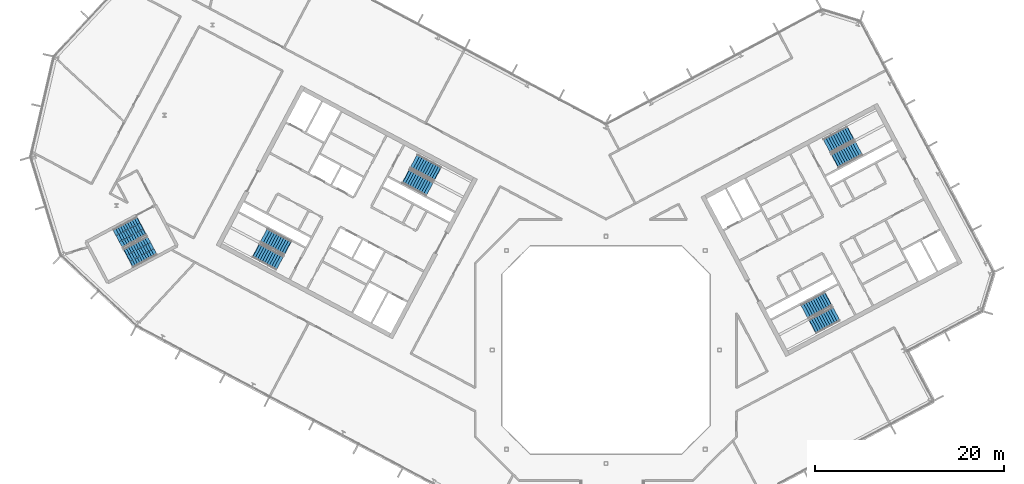
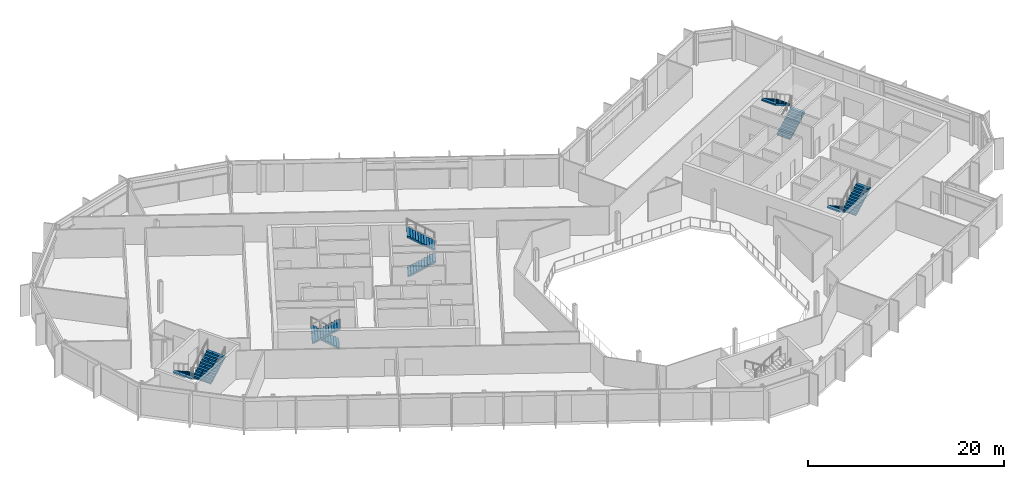
# One storey, part 17 of 25: 10 stair flights, 5 elements without a shape of their own.
"""IFC4 building model written with IfcOpenShell, lengths in metres."""

from ifc_helpers import new_model, si_unit, direction, frame, origin, place, context, subcontext, project, spatial, polyline, outline, extrude, material, type_object, element, aggregate, save


model = new_model("IFC4")

# Units and contexts
model_context = context("Model", 3, precision=1e-05, world=origin(), true_north=direction((0.0, 1.0)))
body_context = subcontext(model_context, "Body", "Model", "MODEL_VIEW")
ifc_project = project(units=[si_unit("LENGTHUNIT", "METRE"), si_unit("AREAUNIT", "SQUARE_METRE"), si_unit("VOLUMEUNIT", "CUBIC_METRE"), si_unit("PLANEANGLEUNIT", "RADIAN"), si_unit("MASSUNIT", "GRAM", prefix="KILO")], contexts=[model_context])

# Site, building, storey
site_placement = place(None, origin())
site = spatial("IfcSite", under=ifc_project, at=site_placement, CompositionType="ELEMENT")
building_placement = place(site_placement, origin())
building = spatial("IfcBuilding", under=site, at=building_placement, Name="Cormorant Relay Tower", CompositionType="ELEMENT")
storey_placement = place(building_placement, frame((0.0, 0.0, 281.39990234375)))
storey = spatial("IfcBuildingStorey", under=building, at=storey_placement, Name="L63", CompositionType="ELEMENT", Elevation=281.39990234375)

# Stair, stair flights
ifc_material_1 = material(Name="Concrete 40 MPa", Category="concrete")
stair_type_1 = type_object("IfcStairType", Name="Exit stair 1500", PredefinedType="HALF_TURN_STAIR", material=ifc_material_1)
stair_1_placement = place(storey_placement, origin())
stair_1 = element("IfcStair", 1, at=stair_1_placement, inside=storey, type_object=stair_type_1, Name="L63 Stair", PredefinedType="HALF_TURN_STAIR")
ifc_material_2 = material(Name="Concrete 40 MPa", Category="concrete")
stair_flight_type_1 = type_object("IfcStairFlightType", Name="Exit stair flight 1650", PredefinedType="STRAIGHT", material=ifc_material_2)
stair_flight_1_placement = place(storey_placement, frame((-21.114501953125, 18.33349609375, 0.0), z_axis=(0.0, 0.0, 1.0), x_axis=(0.882947592859, -0.469471562786, 0.0)))
stair_flight_1 = element("IfcStairFlight", 2, at=stair_flight_1_placement, type_object=stair_flight_type_1, Name="A1 flight 1", NumberOfRisers=11, NumberOfTreads=10, PredefinedType="STRAIGHT", RiserHeight=0.177272727, TreadLength=0.28, context=body_context, shape_type="SweptSolid", body=[
    extrude(outline(polyline([(-0.050048828125, -0.080078125), (-0.050048828125, 0.0), (0.0, 0.0), (0.0, 0.17724609375), (0.280029296875, 0.17724609375), (0.280029296875, 0.3544921875), (0.56005859375, 0.3544921875), (0.56005859375, 0.53173828125), (0.840087890625, 0.53173828125), (0.840087890625, 0.708984375), (1.1201171875, 0.708984375), (1.1201171875, 0.886474609375), (1.39990234375, 0.886474609375), (1.39990234375, 1.063720703125), (1.679931640625, 1.063720703125), (1.679931640625, 1.240966796875), (1.9599609375, 1.240966796875), (1.9599609375, 1.418212890625), (2.239990234375, 1.418212890625), (2.239990234375, 1.595458984375), (2.52001953125, 1.595458984375), (2.52001953125, 1.772705078125), (2.800048828125, 1.772705078125), (2.85009765625, 1.772705078125), (2.85009765625, 1.59521484375), (2.800048828125, 1.59521484375), (0.2802734375, 0.0), (-0.050048828125, -0.080078125)])), frame((0.0, 0.824951171875, 0.0), z_axis=(0.0, -1.0, 0.0), x_axis=(1.0, 0.0, 0.0)), (0.0, 0.0, 1.0), 1.64990234375),
])
stair_flight_2_placement = place(storey_placement, frame((-17.797119140625, 18.6083984375, 1.9501953125), z_axis=(0.0, 0.0, 1.0), x_axis=(-0.882947592859, 0.469471562786, 0.0)))
stair_flight_2 = element("IfcStairFlight", 3, at=stair_flight_2_placement, type_object=stair_flight_type_1, Name="A1 flight 2", NumberOfRisers=11, NumberOfTreads=10, PredefinedType="STRAIGHT", RiserHeight=0.177272727, TreadLength=0.28, context=body_context, shape_type="SweptSolid", body=[
    extrude(outline(polyline([(-0.050048828125, -0.080078125), (-0.050048828125, 0.0), (0.0, 0.0), (0.0, 0.17724609375), (0.280029296875, 0.17724609375), (0.280029296875, 0.3544921875), (0.56005859375, 0.3544921875), (0.56005859375, 0.53173828125), (0.840087890625, 0.53173828125), (0.840087890625, 0.708984375), (1.1201171875, 0.708984375), (1.1201171875, 0.886474609375), (1.39990234375, 0.886474609375), (1.39990234375, 1.063720703125), (1.679931640625, 1.063720703125), (1.679931640625, 1.240966796875), (1.9599609375, 1.240966796875), (1.9599609375, 1.418212890625), (2.239990234375, 1.418212890625), (2.239990234375, 1.595458984375), (2.52001953125, 1.595458984375), (2.52001953125, 1.772705078125), (2.800048828125, 1.772705078125), (2.85009765625, 1.772705078125), (2.85009765625, 1.59521484375), (2.800048828125, 1.59521484375), (0.2802734375, 0.0), (-0.050048828125, -0.080078125)])), frame((0.0, 0.824951171875, 0.0), z_axis=(0.0, -1.0, 0.0), x_axis=(1.0, 0.0, 0.0)), (0.0, 0.0, 1.0), 1.64990234375),
])
aggregate(stair_1, [stair_flight_1, stair_flight_2])

stair_2_placement = place(storey_placement, origin())
stair_2 = element("IfcStair", 4, at=stair_2_placement, inside=storey, type_object=stair_type_1, Name="L63 Stair", PredefinedType="HALF_TURN_STAIR")
stair_flight_3_placement = place(storey_placement, frame((-33.62841796875, 10.773681640625, 0.0), z_axis=(0.0, 0.0, 1.0), x_axis=(-0.882947592859, 0.469471562786, 0.0)))
stair_flight_3 = element("IfcStairFlight", 5, at=stair_flight_3_placement, type_object=stair_flight_type_1, Name="A2 flight 1", NumberOfRisers=11, NumberOfTreads=10, PredefinedType="STRAIGHT", RiserHeight=0.177272727, TreadLength=0.28, context=body_context, shape_type="SweptSolid", body=[
    extrude(outline(polyline([(-0.050048828125, -0.080078125), (-0.050048828125, 0.0), (0.0, 0.0), (0.0, 0.17724609375), (0.280029296875, 0.17724609375), (0.280029296875, 0.3544921875), (0.56005859375, 0.3544921875), (0.56005859375, 0.53173828125), (0.840087890625, 0.53173828125), (0.840087890625, 0.708984375), (1.1201171875, 0.708984375), (1.1201171875, 0.886474609375), (1.39990234375, 0.886474609375), (1.39990234375, 1.063720703125), (1.679931640625, 1.063720703125), (1.679931640625, 1.240966796875), (1.9599609375, 1.240966796875), (1.9599609375, 1.418212890625), (2.239990234375, 1.418212890625), (2.239990234375, 1.595458984375), (2.52001953125, 1.595458984375), (2.52001953125, 1.772705078125), (2.800048828125, 1.772705078125), (2.85009765625, 1.772705078125), (2.85009765625, 1.59521484375), (2.800048828125, 1.59521484375), (0.2802734375, 0.0), (-0.050048828125, -0.080078125)])), frame((0.0, 0.824951171875, 0.0), z_axis=(0.0, -1.0, 0.0), x_axis=(1.0, 0.0, 0.0)), (0.0, 0.0, 1.0), 1.64990234375),
])
stair_flight_4_placement = place(storey_placement, frame((-36.945556640625, 10.498779296875, 1.9501953125), z_axis=(0.0, 0.0, 1.0), x_axis=(0.882947592859, -0.469471562786, 0.0)))
stair_flight_4 = element("IfcStairFlight", 6, at=stair_flight_4_placement, type_object=stair_flight_type_1, Name="A2 flight 2", NumberOfRisers=11, NumberOfTreads=10, PredefinedType="STRAIGHT", RiserHeight=0.177272727, TreadLength=0.28, context=body_context, shape_type="SweptSolid", body=[
    extrude(outline(polyline([(-0.050048828125, -0.080078125), (-0.050048828125, 0.0), (0.0, 0.0), (0.0, 0.17724609375), (0.280029296875, 0.17724609375), (0.280029296875, 0.3544921875), (0.56005859375, 0.3544921875), (0.56005859375, 0.53173828125), (0.840087890625, 0.53173828125), (0.840087890625, 0.708984375), (1.1201171875, 0.708984375), (1.1201171875, 0.886474609375), (1.39990234375, 0.886474609375), (1.39990234375, 1.063720703125), (1.679931640625, 1.063720703125), (1.679931640625, 1.240966796875), (1.9599609375, 1.240966796875), (1.9599609375, 1.418212890625), (2.239990234375, 1.418212890625), (2.239990234375, 1.595458984375), (2.52001953125, 1.595458984375), (2.52001953125, 1.772705078125), (2.800048828125, 1.772705078125), (2.85009765625, 1.772705078125), (2.85009765625, 1.59521484375), (2.800048828125, 1.59521484375), (0.2802734375, 0.0), (-0.050048828125, -0.080078125)])), frame((0.0, 0.824951171875, 0.0), z_axis=(0.0, -1.0, 0.0), x_axis=(1.0, 0.0, 0.0)), (0.0, 0.0, 1.0), 1.64990234375),
])
aggregate(stair_2, [stair_flight_3, stair_flight_4])

stair_3_placement = place(storey_placement, origin())
stair_3 = element("IfcStair", 7, at=stair_3_placement, inside=storey, type_object=stair_type_1, Name="L63 Stair", PredefinedType="HALF_TURN_STAIR")
stair_flight_5_placement = place(storey_placement, frame((23.474365234375, 5.374755859375, 0.0), z_axis=(0.0, 0.0, 1.0), x_axis=(-0.882947592859, -0.469471562786, 0.0)))
stair_flight_5 = element("IfcStairFlight", 8, at=stair_flight_5_placement, type_object=stair_flight_type_1, Name="B1 flight 1", NumberOfRisers=11, NumberOfTreads=10, PredefinedType="STRAIGHT", RiserHeight=0.177272727, TreadLength=0.28, context=body_context, shape_type="SweptSolid", body=[
    extrude(outline(polyline([(-0.050048828125, -0.080078125), (-0.050048828125, 0.0), (0.0, 0.0), (0.0, 0.17724609375), (0.280029296875, 0.17724609375), (0.280029296875, 0.3544921875), (0.56005859375, 0.3544921875), (0.56005859375, 0.53173828125), (0.840087890625, 0.53173828125), (0.840087890625, 0.708984375), (1.1201171875, 0.708984375), (1.1201171875, 0.886474609375), (1.39990234375, 0.886474609375), (1.39990234375, 1.063720703125), (1.679931640625, 1.063720703125), (1.679931640625, 1.240966796875), (1.9599609375, 1.240966796875), (1.9599609375, 1.418212890625), (2.239990234375, 1.418212890625), (2.239990234375, 1.595458984375), (2.52001953125, 1.595458984375), (2.52001953125, 1.772705078125), (2.800048828125, 1.772705078125), (2.85009765625, 1.772705078125), (2.85009765625, 1.59521484375), (2.800048828125, 1.59521484375), (0.2802734375, 0.0), (-0.050048828125, -0.080078125)])), frame((0.0, 0.824951171875, 0.0), z_axis=(0.0, -1.0, 0.0), x_axis=(1.0, 0.0, 0.0)), (0.0, 0.0, 1.0), 1.64990234375),
])
stair_flight_6_placement = place(storey_placement, frame((21.84716796875, 2.470947265625, 1.9501953125), z_axis=(0.0, 0.0, 1.0), x_axis=(0.882947592859, 0.469471562786, 0.0)))
stair_flight_6 = element("IfcStairFlight", 9, at=stair_flight_6_placement, type_object=stair_flight_type_1, Name="B1 flight 2", NumberOfRisers=11, NumberOfTreads=10, PredefinedType="STRAIGHT", RiserHeight=0.177272727, TreadLength=0.28, context=body_context, shape_type="SweptSolid", body=[
    extrude(outline(polyline([(-0.050048828125, -0.080078125), (-0.050048828125, 0.0), (0.0, 0.0), (0.0, 0.17724609375), (0.280029296875, 0.17724609375), (0.280029296875, 0.3544921875), (0.56005859375, 0.3544921875), (0.56005859375, 0.53173828125), (0.840087890625, 0.53173828125), (0.840087890625, 0.708984375), (1.1201171875, 0.708984375), (1.1201171875, 0.886474609375), (1.39990234375, 0.886474609375), (1.39990234375, 1.063720703125), (1.679931640625, 1.063720703125), (1.679931640625, 1.240966796875), (1.9599609375, 1.240966796875), (1.9599609375, 1.418212890625), (2.239990234375, 1.418212890625), (2.239990234375, 1.595458984375), (2.52001953125, 1.595458984375), (2.52001953125, 1.772705078125), (2.800048828125, 1.772705078125), (2.85009765625, 1.772705078125), (2.85009765625, 1.59521484375), (2.800048828125, 1.59521484375), (0.2802734375, 0.0), (-0.050048828125, -0.080078125)])), frame((0.0, 0.824951171875, 0.0), z_axis=(0.0, -1.0, 0.0), x_axis=(1.0, 0.0, 0.0)), (0.0, 0.0, 1.0), 1.64990234375),
])
aggregate(stair_3, [stair_flight_5, stair_flight_6])

stair_4_placement = place(storey_placement, origin())
stair_4 = element("IfcStair", 10, at=stair_4_placement, inside=storey, type_object=stair_type_1, Name="L63 Stair", PredefinedType="HALF_TURN_STAIR")
stair_flight_7_placement = place(storey_placement, frame((24.20458984375, 19.976806640625, 0.0), z_axis=(0.0, 0.0, 1.0), x_axis=(0.882947592859, 0.469471562786, 0.0)))
stair_flight_7 = element("IfcStairFlight", 11, at=stair_flight_7_placement, type_object=stair_flight_type_1, Name="B2 flight 1", NumberOfRisers=11, NumberOfTreads=10, PredefinedType="STRAIGHT", RiserHeight=0.177272727, TreadLength=0.28, context=body_context, shape_type="SweptSolid", body=[
    extrude(outline(polyline([(-0.050048828125, -0.080078125), (-0.050048828125, 0.0), (0.0, 0.0), (0.0, 0.17724609375), (0.280029296875, 0.17724609375), (0.280029296875, 0.3544921875), (0.56005859375, 0.3544921875), (0.56005859375, 0.53173828125), (0.840087890625, 0.53173828125), (0.840087890625, 0.708984375), (1.1201171875, 0.708984375), (1.1201171875, 0.886474609375), (1.39990234375, 0.886474609375), (1.39990234375, 1.063720703125), (1.679931640625, 1.063720703125), (1.679931640625, 1.240966796875), (1.9599609375, 1.240966796875), (1.9599609375, 1.418212890625), (2.239990234375, 1.418212890625), (2.239990234375, 1.595458984375), (2.52001953125, 1.595458984375), (2.52001953125, 1.772705078125), (2.800048828125, 1.772705078125), (2.85009765625, 1.772705078125), (2.85009765625, 1.59521484375), (2.800048828125, 1.59521484375), (0.2802734375, 0.0), (-0.050048828125, -0.080078125)])), frame((0.0, 0.824951171875, 0.0), z_axis=(0.0, -1.0, 0.0), x_axis=(1.0, 0.0, 0.0)), (0.0, 0.0, 1.0), 1.64990234375),
])
stair_flight_8_placement = place(storey_placement, frame((25.831787109375, 22.880615234375, 1.9501953125), z_axis=(0.0, 0.0, 1.0), x_axis=(-0.882947592859, -0.469471562786, 0.0)))
stair_flight_8 = element("IfcStairFlight", 12, at=stair_flight_8_placement, type_object=stair_flight_type_1, Name="B2 flight 2", NumberOfRisers=11, NumberOfTreads=10, PredefinedType="STRAIGHT", RiserHeight=0.177272727, TreadLength=0.28, context=body_context, shape_type="SweptSolid", body=[
    extrude(outline(polyline([(-0.050048828125, -0.080078125), (-0.050048828125, 0.0), (0.0, 0.0), (0.0, 0.17724609375), (0.280029296875, 0.17724609375), (0.280029296875, 0.3544921875), (0.56005859375, 0.3544921875), (0.56005859375, 0.53173828125), (0.840087890625, 0.53173828125), (0.840087890625, 0.708984375), (1.1201171875, 0.708984375), (1.1201171875, 0.886474609375), (1.39990234375, 0.886474609375), (1.39990234375, 1.063720703125), (1.679931640625, 1.063720703125), (1.679931640625, 1.240966796875), (1.9599609375, 1.240966796875), (1.9599609375, 1.418212890625), (2.239990234375, 1.418212890625), (2.239990234375, 1.595458984375), (2.52001953125, 1.595458984375), (2.52001953125, 1.772705078125), (2.800048828125, 1.772705078125), (2.85009765625, 1.772705078125), (2.85009765625, 1.59521484375), (2.800048828125, 1.59521484375), (0.2802734375, 0.0), (-0.050048828125, -0.080078125)])), frame((0.0, 0.824951171875, 0.0), z_axis=(0.0, -1.0, 0.0), x_axis=(1.0, 0.0, 0.0)), (0.0, 0.0, 1.0), 1.64990234375),
])
aggregate(stair_4, [stair_flight_7, stair_flight_8])

ifc_material_3 = material(Name="Concrete 40 MPa", Category="concrete")
stair_type_2 = type_object("IfcStairType", Name="Remote exit stair 2200", PredefinedType="HALF_TURN_STAIR", material=ifc_material_3)
stair_5_placement = place(storey_placement, origin())
stair_5 = element("IfcStair", 13, at=stair_5_placement, inside=storey, type_object=stair_type_2, Name="L63 Stair", PredefinedType="HALF_TURN_STAIR")
ifc_material_4 = material(Name="Concrete 40 MPa", Category="concrete")
stair_flight_type_2 = type_object("IfcStairFlightType", Name="Remote exit stair flight 2200", PredefinedType="STRAIGHT", material=ifc_material_4)
stair_flight_9_placement = place(storey_placement, frame((-49.062255859375, 13.08251953125, 0.0), z_axis=(0.0, 0.0, 1.0), x_axis=(-0.882947502727, -0.4694717323, 0.0)))
stair_flight_9 = element("IfcStairFlight", 14, at=stair_flight_9_placement, type_object=stair_flight_type_2, Name="RP1 flight 1", NumberOfRisers=11, NumberOfTreads=10, PredefinedType="STRAIGHT", RiserHeight=0.177272727, TreadLength=0.28, context=body_context, shape_type="SweptSolid", body=[
    extrude(outline(polyline([(-0.050048828125, -0.080078125), (-0.050048828125, 0.0), (0.0, 0.0), (0.0, 0.17724609375), (0.280029296875, 0.17724609375), (0.280029296875, 0.3544921875), (0.56005859375, 0.3544921875), (0.56005859375, 0.53173828125), (0.840087890625, 0.53173828125), (0.840087890625, 0.708984375), (1.1201171875, 0.708984375), (1.1201171875, 0.886474609375), (1.39990234375, 0.886474609375), (1.39990234375, 1.063720703125), (1.679931640625, 1.063720703125), (1.679931640625, 1.240966796875), (1.9599609375, 1.240966796875), (1.9599609375, 1.418212890625), (2.239990234375, 1.418212890625), (2.239990234375, 1.595458984375), (2.52001953125, 1.595458984375), (2.52001953125, 1.772705078125), (2.800048828125, 1.772705078125), (2.85009765625, 1.772705078125), (2.85009765625, 1.59521484375), (2.800048828125, 1.59521484375), (0.2802734375, 0.0), (-0.050048828125, -0.080078125)])), frame((0.0, 1.10009765625, 0.0), z_axis=(0.0, -1.0, 0.0), x_axis=(1.0, 0.0, 0.0)), (0.0, 0.0, 1.0), 0.719970703125),
    extrude(outline(polyline([(-0.050048828125, -0.080078125), (-0.050048828125, 0.0), (0.0, 0.0), (0.0, 0.17724609375), (0.280029296875, 0.17724609375), (0.280029296875, 0.3544921875), (0.56005859375, 0.3544921875), (0.56005859375, 0.53173828125), (0.840087890625, 0.53173828125), (0.840087890625, 0.708984375), (1.1201171875, 0.708984375), (1.1201171875, 0.886474609375), (1.39990234375, 0.886474609375), (1.39990234375, 1.063720703125), (1.679931640625, 1.063720703125), (1.679931640625, 1.240966796875), (1.9599609375, 1.240966796875), (1.9599609375, 1.418212890625), (2.239990234375, 1.418212890625), (2.239990234375, 1.595458984375), (2.52001953125, 1.595458984375), (2.52001953125, 1.772705078125), (2.800048828125, 1.772705078125), (2.85009765625, 1.772705078125), (2.85009765625, 1.59521484375), (2.800048828125, 1.59521484375), (0.2802734375, 0.0), (-0.050048828125, -0.080078125)])), frame((0.0, 0.360107421875, 0.0), z_axis=(0.0, -1.0, 0.0), x_axis=(1.0, 0.0, 0.0)), (0.0, 0.0, 1.0), 0.719970703125),
    extrude(outline(polyline([(-0.050048828125, -0.080078125), (-0.050048828125, 0.0), (0.0, 0.0), (0.0, 0.17724609375), (0.280029296875, 0.17724609375), (0.280029296875, 0.3544921875), (0.56005859375, 0.3544921875), (0.56005859375, 0.53173828125), (0.840087890625, 0.53173828125), (0.840087890625, 0.708984375), (1.1201171875, 0.708984375), (1.1201171875, 0.886474609375), (1.39990234375, 0.886474609375), (1.39990234375, 1.063720703125), (1.679931640625, 1.063720703125), (1.679931640625, 1.240966796875), (1.9599609375, 1.240966796875), (1.9599609375, 1.418212890625), (2.239990234375, 1.418212890625), (2.239990234375, 1.595458984375), (2.52001953125, 1.595458984375), (2.52001953125, 1.772705078125), (2.800048828125, 1.772705078125), (2.85009765625, 1.772705078125), (2.85009765625, 1.59521484375), (2.800048828125, 1.59521484375), (0.2802734375, 0.0), (-0.050048828125, -0.080078125)])), frame((0.0, -0.3798828125, 0.0), z_axis=(0.0, -1.0, 0.0), x_axis=(1.0, 0.0, 0.0)), (0.0, 0.0, 1.0), 0.719970703125),
])
stair_flight_10_placement = place(storey_placement, frame((-50.431396484375, 9.693115234375, 1.9501953125), z_axis=(0.0, 0.0, 1.0), x_axis=(0.882947502727, 0.4694717323, 0.0)))
stair_flight_10 = element("IfcStairFlight", 15, at=stair_flight_10_placement, type_object=stair_flight_type_2, Name="RP1 flight 2", NumberOfRisers=11, NumberOfTreads=10, PredefinedType="STRAIGHT", RiserHeight=0.177272727, TreadLength=0.28, context=body_context, shape_type="SweptSolid", body=[
    extrude(outline(polyline([(-0.050048828125, -0.080078125), (-0.050048828125, 0.0), (0.0, 0.0), (0.0, 0.17724609375), (0.280029296875, 0.17724609375), (0.280029296875, 0.3544921875), (0.56005859375, 0.3544921875), (0.56005859375, 0.53173828125), (0.840087890625, 0.53173828125), (0.840087890625, 0.708984375), (1.1201171875, 0.708984375), (1.1201171875, 0.886474609375), (1.39990234375, 0.886474609375), (1.39990234375, 1.063720703125), (1.679931640625, 1.063720703125), (1.679931640625, 1.240966796875), (1.9599609375, 1.240966796875), (1.9599609375, 1.418212890625), (2.239990234375, 1.418212890625), (2.239990234375, 1.595458984375), (2.52001953125, 1.595458984375), (2.52001953125, 1.772705078125), (2.800048828125, 1.772705078125), (2.85009765625, 1.772705078125), (2.85009765625, 1.59521484375), (2.800048828125, 1.59521484375), (0.2802734375, 0.0), (-0.050048828125, -0.080078125)])), frame((0.0, 1.10009765625, 0.0), z_axis=(0.0, -1.0, 0.0), x_axis=(1.0, 0.0, 0.0)), (0.0, 0.0, 1.0), 0.719970703125),
    extrude(outline(polyline([(-0.050048828125, -0.080078125), (-0.050048828125, 0.0), (0.0, 0.0), (0.0, 0.17724609375), (0.280029296875, 0.17724609375), (0.280029296875, 0.3544921875), (0.56005859375, 0.3544921875), (0.56005859375, 0.53173828125), (0.840087890625, 0.53173828125), (0.840087890625, 0.708984375), (1.1201171875, 0.708984375), (1.1201171875, 0.886474609375), (1.39990234375, 0.886474609375), (1.39990234375, 1.063720703125), (1.679931640625, 1.063720703125), (1.679931640625, 1.240966796875), (1.9599609375, 1.240966796875), (1.9599609375, 1.418212890625), (2.239990234375, 1.418212890625), (2.239990234375, 1.595458984375), (2.52001953125, 1.595458984375), (2.52001953125, 1.772705078125), (2.800048828125, 1.772705078125), (2.85009765625, 1.772705078125), (2.85009765625, 1.59521484375), (2.800048828125, 1.59521484375), (0.2802734375, 0.0), (-0.050048828125, -0.080078125)])), frame((0.0, 0.360107421875, 0.0), z_axis=(0.0, -1.0, 0.0), x_axis=(1.0, 0.0, 0.0)), (0.0, 0.0, 1.0), 0.719970703125),
    extrude(outline(polyline([(-0.050048828125, -0.080078125), (-0.050048828125, 0.0), (0.0, 0.0), (0.0, 0.17724609375), (0.280029296875, 0.17724609375), (0.280029296875, 0.3544921875), (0.56005859375, 0.3544921875), (0.56005859375, 0.53173828125), (0.840087890625, 0.53173828125), (0.840087890625, 0.708984375), (1.1201171875, 0.708984375), (1.1201171875, 0.886474609375), (1.39990234375, 0.886474609375), (1.39990234375, 1.063720703125), (1.679931640625, 1.063720703125), (1.679931640625, 1.240966796875), (1.9599609375, 1.240966796875), (1.9599609375, 1.418212890625), (2.239990234375, 1.418212890625), (2.239990234375, 1.595458984375), (2.52001953125, 1.595458984375), (2.52001953125, 1.772705078125), (2.800048828125, 1.772705078125), (2.85009765625, 1.772705078125), (2.85009765625, 1.59521484375), (2.800048828125, 1.59521484375), (0.2802734375, 0.0), (-0.050048828125, -0.080078125)])), frame((0.0, -0.3798828125, 0.0), z_axis=(0.0, -1.0, 0.0), x_axis=(1.0, 0.0, 0.0)), (0.0, 0.0, 1.0), 0.719970703125),
])
aggregate(stair_5, [stair_flight_9, stair_flight_10])

save(model, "model.ifc")
